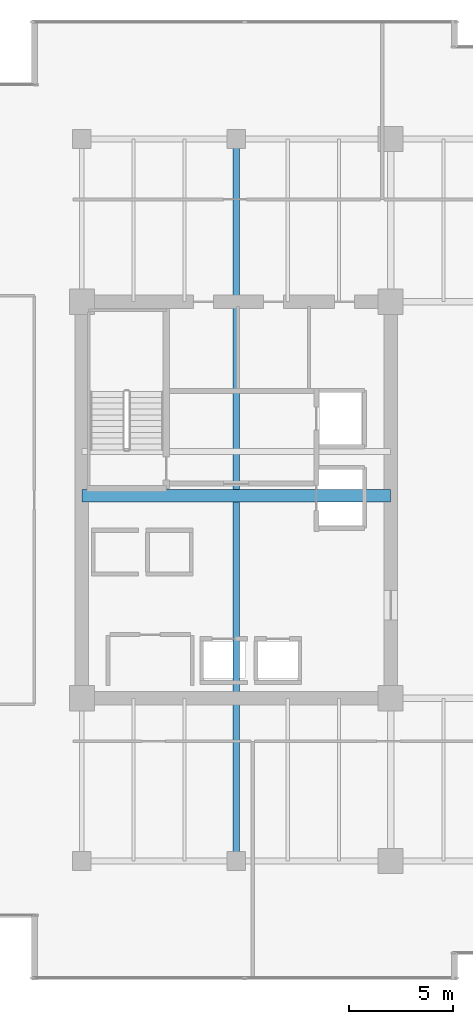
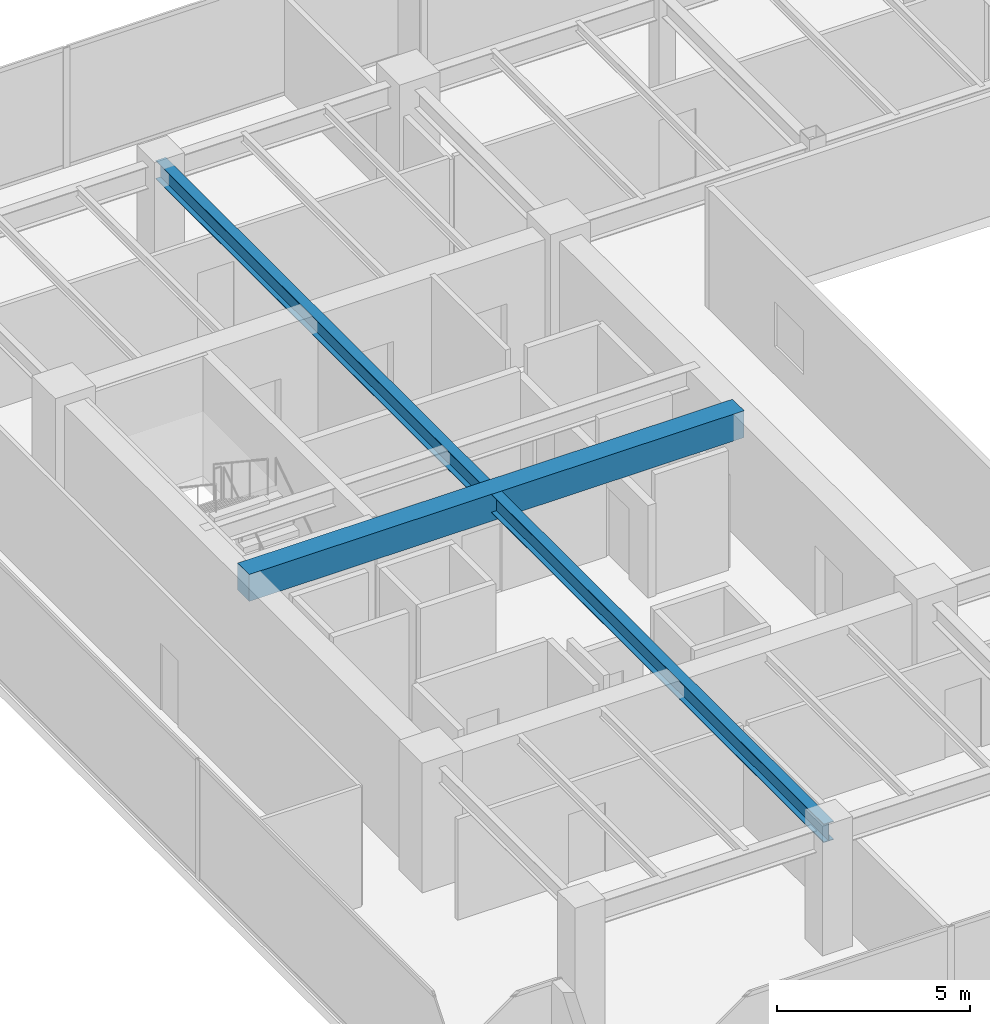
# One storey, part 7 of 30: 2 beams.
"""IFC4 building model written with IfcOpenShell, lengths in metres."""

from ifc_helpers import new_model, si_unit, direction, frame, origin, origin_2d, place, context, subcontext, project, spatial, rectangle, i_section, extrude, source, transform, mapped, material, material_profile, profile_set, type_object, type_shapes, element, save


model = new_model("IFC4")

# Units and contexts
model_context = context("Model", 3, precision=1e-05, world=origin(), true_north=direction((0.0, 1.0)))
body_context = subcontext(model_context, "Body", "Model", "MODEL_VIEW")
ifc_project = project(units=[si_unit("LENGTHUNIT", "METRE"), si_unit("AREAUNIT", "SQUARE_METRE"), si_unit("VOLUMEUNIT", "CUBIC_METRE"), si_unit("PLANEANGLEUNIT", "RADIAN"), si_unit("MASSUNIT", "GRAM", prefix="KILO")], contexts=[model_context])

# Site, building, storey
site_placement = place(None, origin())
site = spatial("IfcSite", under=ifc_project, at=site_placement, CompositionType="ELEMENT")
building_placement = place(site_placement, origin())
building = spatial("IfcBuilding", under=site, at=building_placement, Name="Haelvirn Gate Laboratories", CompositionType="ELEMENT")
storey_placement = place(building_placement, frame((0.0, 0.0, 183.0)))
storey = spatial("IfcBuildingStorey", under=building, at=storey_placement, Name="L44", CompositionType="ELEMENT", Elevation=183.0)

# Beams
ifc_material_1 = material(Name="Steel SM355", Category="steel")
ifc_material_profile_1 = material_profile(ifc_material_1, i_section(OverallWidth=0.300048828125, OverallDepth=0.587890625, WebThickness=0.011962890625, FlangeThickness=0.02001953125, at=origin_2d()), Name="H-588x300x12x20")
ifc_profile_set_1 = profile_set([ifc_material_profile_1], Name="Steel SM355")
beam_type_1 = type_object("IfcBeamType", Name="BM-G-588", PredefinedType="BEAM", material=ifc_profile_set_1)
shared_shape_1 = source(origin(), body_context, "Body", "SweptSolid", [
    extrude(i_section(OverallWidth=0.300048828125, OverallDepth=0.587890625, WebThickness=0.011962890625, FlangeThickness=0.02001953125, at=origin_2d()), origin(), (0.0, 0.0, 1.0), 34.60009765625),
])
type_shapes(beam_type_1, [shared_shape_1])
beam_1_placement = place(storey_placement, frame((14.800048828125, 7.0, 3.49609375), z_axis=(0.0, 1.0, 0.0), x_axis=(-1.0, 0.0, 0.0)))
element("IfcBeam", 1, at=beam_1_placement, inside=storey, type_object=beam_type_1, Name="L44 Frame Girder X14.8 (7.0-41.6)", PredefinedType="BEAM", context=body_context, shape_type="MappedRepresentation", body=[
    mapped(shared_shape_1, transform((0.0, 0.0, 0.0), scale=1.0)),
])
ifc_material_2 = material(Name="Concrete C50/60", Category="concrete")
ifc_material_profile_2 = material_profile(ifc_material_2, rectangle(XDim=0.60009765625, YDim=0.85009765625, at=origin_2d()), Name="RCB-600x850")
ifc_profile_set_2 = profile_set([ifc_material_profile_2], Name="Concrete C50/60")
beam_type_2 = type_object("IfcBeamType", Name="BM-RCB-850", PredefinedType="LINTEL", material=ifc_profile_set_2)
shared_shape_2 = source(origin(), body_context, "Body", "SweptSolid", [
    extrude(rectangle(XDim=0.60009765625, YDim=0.85009765625, at=origin_2d()), origin(), (0.0, 0.0, 1.0), 14.800048828125),
])
type_shapes(beam_type_2, [shared_shape_2])
beam_2_placement = place(storey_placement, frame((7.39990234375, 24.5, 3.364990234375), z_axis=(1.0, 0.0, 0.0), x_axis=(0.0, 1.0, 0.0)))
element("IfcBeam", 2, at=beam_2_placement, inside=storey, type_object=beam_type_2, Name="L44 West Core Coupling Beam", PredefinedType="LINTEL", context=body_context, shape_type="MappedRepresentation", body=[
    mapped(shared_shape_2, transform((0.0, 0.0, 0.0), scale=1.0)),
])

save(model, "model.ifc")
